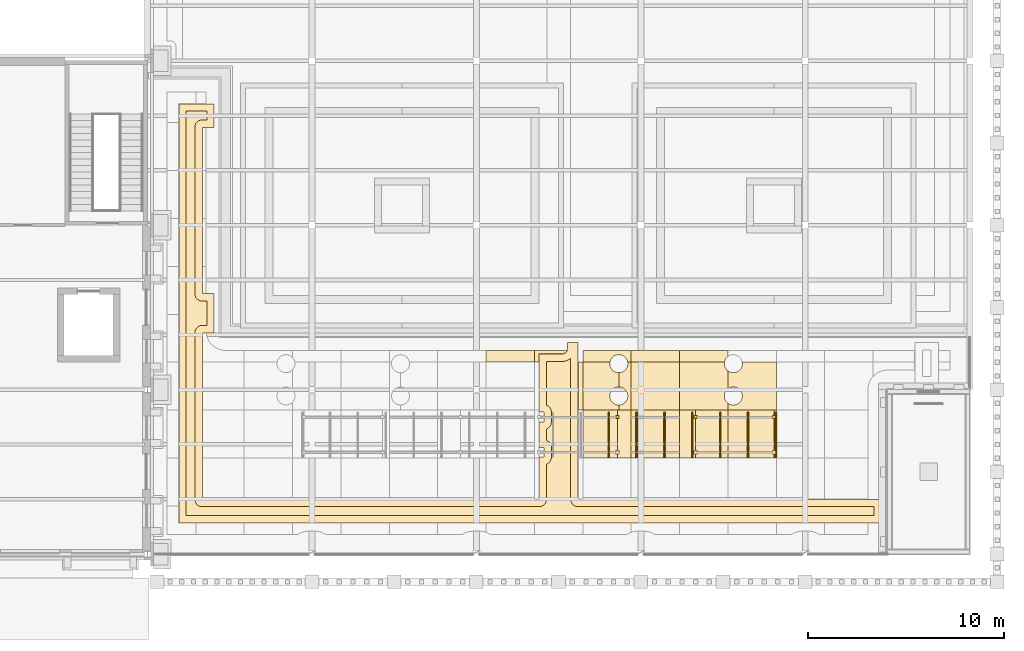
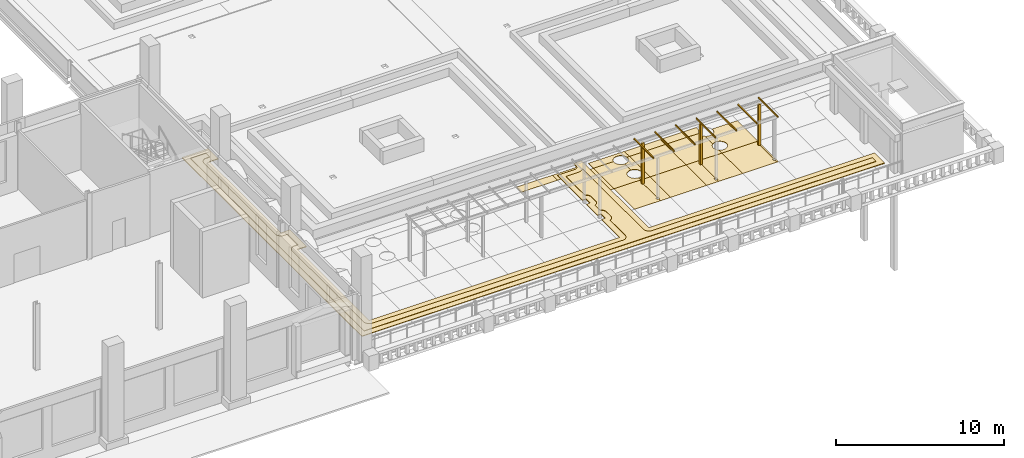
# One storey, part 71 of 76: 30 coverings.
"""IFC4 building model written with IfcOpenShell, lengths in metres."""

from ifc_helpers import new_model, si_unit, direction, frame, origin, origin_2d, place, context, subcontext, project, spatial, polyline, rectangle, outline, extrude, material, layer, layer_set, type_object, element, save


model = new_model("IFC4")

# Units and contexts
model_context = context("Model", 3, precision=1e-05, world=origin(), true_north=direction((0.0, 1.0)))
body_context = subcontext(model_context, "Body", "Model", "MODEL_VIEW")
ifc_project = project(units=[si_unit("LENGTHUNIT", "METRE"), si_unit("AREAUNIT", "SQUARE_METRE"), si_unit("VOLUMEUNIT", "CUBIC_METRE"), si_unit("PLANEANGLEUNIT", "RADIAN"), si_unit("MASSUNIT", "GRAM", prefix="KILO")], contexts=[model_context])

# Site, building, storey
site_placement = place(None, origin())
site = spatial("IfcSite", under=ifc_project, at=site_placement, CompositionType="ELEMENT")
building_placement = place(site_placement, origin())
building = spatial("IfcBuilding", under=site, at=building_placement, Name="Sava Quay Ferry Terminal", CompositionType="ELEMENT")
storey_placement = place(building_placement, frame((0.0, 0.0, 6.0)))
storey = spatial("IfcBuildingStorey", under=building, at=storey_placement, Name="L01", CompositionType="ELEMENT", Elevation=6.0)

# Coverings
ifc_material_1 = material(Name="Basalt setts", Category="masonry")
ifc_layer_1 = layer(ifc_material_1, 0.02001953125)
ifc_layer_set_1 = layer_set([ifc_layer_1], Name="Basalt setts")
covering_type_1 = type_object("IfcCoveringType", Name="Basalt inlay line 20", PredefinedType="FLOORING", material=ifc_layer_set_1)
covering_1_placement = place(storey_placement, frame((0.0, 0.0, 0.050048828125)))
element("IfcCovering", 1, at=covering_1_placement, inside=storey, type_object=covering_type_1, Name="Basalt inlay line", PredefinedType="FLOORING", context=body_context, shape_type="SweptSolid", body=[
    extrude(outline(polyline([(128.72607421875, 47.373046875), (128.762939453125, 47.3779296875), (128.800048828125, 47.3798828125), (129.030029296875, 47.3798828125), (129.030029296875, 47.820068359375), (127.97998046875, 47.820068359375), (127.97998046875, 27.179931640625), (163.1201171875, 27.179931640625), (163.1201171875, 27.6201171875), (148.0, 27.6201171875), (147.962890625, 27.6220703125), (147.926025390625, 27.626953125), (147.889892578125, 27.635986328125), (147.85498046875, 27.64892578125), (147.821044921875, 27.6650390625), (147.7890625, 27.68408203125), (147.759033203125, 27.7060546875), (147.73095703125, 27.73095703125), (147.7060546875, 27.759033203125), (147.68408203125, 27.7890625), (147.6650390625, 27.821044921875), (147.64892578125, 27.85498046875), (147.635986328125, 27.889892578125), (147.626953125, 27.926025390625), (147.6220703125, 27.962890625), (147.6201171875, 28.0), (147.6201171875, 35.2060546875), (147.5869140625, 35.177978515625), (147.54296875, 35.14697265625), (147.47509765625, 35.10888671875), (147.447998046875, 35.095947265625), (147.39794921875, 35.076904296875), (147.35107421875, 35.06396484375), (147.27197265625, 35.049072265625), (147.199951171875, 35.044921875), (146.3798828125, 35.044921875), (146.3798828125, 32.806884765625), (146.39501953125, 32.801025390625), (146.428955078125, 32.784912109375), (146.4609375, 32.76611328125), (146.490966796875, 32.743896484375), (146.51904296875, 32.718994140625), (146.5439453125, 32.69091796875), (146.56591796875, 32.660888671875), (146.5849609375, 32.62890625), (146.60107421875, 32.594970703125), (146.614013671875, 32.56005859375), (146.623046875, 32.52392578125), (146.6279296875, 32.487060546875), (146.6298828125, 32.449951171875), (146.6298828125, 31.949951171875), (146.6279296875, 31.9130859375), (146.623046875, 31.8759765625), (146.614013671875, 31.840087890625), (146.60107421875, 31.804931640625), (146.5849609375, 31.77099609375), (146.56591796875, 31.739013671875), (146.5439453125, 31.708984375), (146.51904296875, 31.680908203125), (146.490966796875, 31.656005859375), (146.4609375, 31.634033203125), (146.428955078125, 31.614990234375), (146.39501953125, 31.59912109375), (146.3798828125, 31.593017578125), (146.3798828125, 31.007080078125), (146.39501953125, 31.0009765625), (146.428955078125, 30.985107421875), (146.4609375, 30.966064453125), (146.490966796875, 30.944091796875), (146.51904296875, 30.9189453125), (146.5439453125, 30.89111328125), (146.56591796875, 30.861083984375), (146.5849609375, 30.8291015625), (146.60107421875, 30.794921875), (146.614013671875, 30.760009765625), (146.623046875, 30.72412109375), (146.6279296875, 30.68701171875), (146.6298828125, 30.64990234375), (146.6298828125, 30.14990234375), (146.6279296875, 30.113037109375), (146.623046875, 30.075927734375), (146.614013671875, 30.0400390625), (146.60107421875, 30.0048828125), (146.5849609375, 29.970947265625), (146.56591796875, 29.93896484375), (146.5439453125, 29.908935546875), (146.51904296875, 29.881103515625), (146.490966796875, 29.85595703125), (146.4609375, 29.833984375), (146.428955078125, 29.81494140625), (146.39501953125, 29.799072265625), (146.3798828125, 29.79296875), (146.3798828125, 28.0), (146.3779296875, 27.962890625), (146.373046875, 27.926025390625), (146.364013671875, 27.889892578125), (146.35107421875, 27.85498046875), (146.3349609375, 27.821044921875), (146.31591796875, 27.7890625), (146.2939453125, 27.759033203125), (146.26904296875, 27.73095703125), (146.240966796875, 27.7060546875), (146.2109375, 27.68408203125), (146.178955078125, 27.6650390625), (146.14501953125, 27.64892578125), (146.110107421875, 27.635986328125), (146.073974609375, 27.626953125), (146.037109375, 27.6220703125), (146.0, 27.6201171875), (128.800048828125, 27.6201171875), (128.762939453125, 27.6220703125), (128.72607421875, 27.626953125), (128.68994140625, 27.635986328125), (128.655029296875, 27.64892578125), (128.62109375, 27.6650390625), (128.589111328125, 27.68408203125), (128.55908203125, 27.7060546875), (128.531005859375, 27.73095703125), (128.506103515625, 27.759033203125), (128.48388671875, 27.7890625), (128.465087890625, 27.821044921875), (128.448974609375, 27.85498046875), (128.43603515625, 27.889892578125), (128.427001953125, 27.926025390625), (128.422119140625, 27.962890625), (128.419921875, 28.0), (128.419921875, 36.5), (128.422119140625, 36.537109375), (128.427001953125, 36.573974609375), (128.43603515625, 36.610107421875), (128.448974609375, 36.64501953125), (128.465087890625, 36.678955078125), (128.48388671875, 36.7109375), (128.506103515625, 36.740966796875), (128.531005859375, 36.76904296875), (128.55908203125, 36.7939453125), (128.589111328125, 36.81591796875), (128.62109375, 36.8349609375), (128.655029296875, 36.85107421875), (128.68994140625, 36.864013671875), (128.72607421875, 36.873046875), (128.762939453125, 36.8779296875), (128.800048828125, 36.8798828125), (129.030029296875, 36.8798828125), (129.030029296875, 38.1201171875), (128.800048828125, 38.1201171875), (128.762939453125, 38.1220703125), (128.72607421875, 38.126953125), (128.68994140625, 38.135986328125), (128.655029296875, 38.14892578125), (128.62109375, 38.1650390625), (128.589111328125, 38.18408203125), (128.55908203125, 38.2060546875), (128.531005859375, 38.23095703125), (128.506103515625, 38.259033203125), (128.48388671875, 38.2890625), (128.465087890625, 38.321044921875), (128.448974609375, 38.35498046875), (128.43603515625, 38.389892578125), (128.427001953125, 38.426025390625), (128.422119140625, 38.462890625), (128.419921875, 38.5), (128.419921875, 47.0), (128.422119140625, 47.037109375), (128.427001953125, 47.073974609375), (128.43603515625, 47.110107421875), (128.448974609375, 47.14501953125), (128.465087890625, 47.178955078125), (128.48388671875, 47.2109375), (128.506103515625, 47.240966796875), (128.531005859375, 47.26904296875), (128.55908203125, 47.2939453125), (128.589111328125, 47.31591796875), (128.62109375, 47.3349609375), (128.655029296875, 47.35107421875), (128.68994140625, 47.364013671875), (128.72607421875, 47.373046875)])), origin(), (0.0, 0.0, 1.0), 0.02001953125),
])
ifc_material_2 = material(Name="Limestone Mutalj", Category="masonry")
ifc_layer_2 = layer(ifc_material_2, 0.030029296875)
ifc_layer_set_2 = layer_set([ifc_layer_2], Name="Limestone Mutalj")
covering_type_2 = type_object("IfcCoveringType", Name="Court paving tile 30", PredefinedType="FLOORING", material=ifc_layer_set_2)
covering_2_placement = place(storey_placement, origin())
element("IfcCovering", 2, at=covering_2_placement, inside=storey, type_object=covering_type_2, Name="Limestone paving tile", PredefinedType="FLOORING", context=body_context, shape_type="SweptSolid", body=[
    extrude(outline(polyline([(145.764892578125, 35.0), (145.989990234375, 35.0), (145.989990234375, 35.425048828125), (145.991943359375, 35.430908203125), (145.99609375, 35.43408203125), (147.22412109375, 35.43603515625), (147.27001953125, 35.446044921875), (147.2919921875, 35.452880859375), (147.333984375, 35.47509765625), (147.35302734375, 35.489990234375), (147.3701171875, 35.5048828125), (147.39990234375, 35.541015625), (147.422119140625, 35.5830078125), (147.427978515625, 35.60009765625), (145.764892578125, 35.60009765625), (145.764892578125, 35.0)])), origin(), (0.0, 0.0, 1.0), 0.030029296875),
])
covering_3_placement = place(storey_placement, origin())
element("IfcCovering", 3, at=covering_3_placement, inside=storey, type_object=covering_type_2, Name="Limestone paving tile", PredefinedType="FLOORING", context=body_context, shape_type="SweptSolid", body=[
    extrude(outline(polyline([(148.235107421875, 32.550048828125), (150.074951171875, 32.550048828125), (150.074951171875, 32.81494140625), (150.029052734375, 32.81689453125), (149.985107421875, 32.823974609375), (149.94091796875, 32.8349609375), (149.89892578125, 32.85009765625), (149.85791015625, 32.8701171875), (149.819091796875, 32.89306640625), (149.782958984375, 32.919921875), (149.7490234375, 32.949951171875), (149.718994140625, 32.98388671875), (149.69189453125, 33.02001953125), (149.6689453125, 33.05908203125), (149.64990234375, 33.09912109375), (149.635009765625, 33.14208984375), (149.6240234375, 33.18603515625), (149.616943359375, 33.22998046875), (149.614990234375, 33.27490234375), (149.616943359375, 33.321044921875), (149.6240234375, 33.364990234375), (149.635009765625, 33.408935546875), (149.64990234375, 33.450927734375), (149.669921875, 33.491943359375), (149.693115234375, 33.531005859375), (149.719970703125, 33.56689453125), (149.75, 33.60107421875), (149.783935546875, 33.631103515625), (149.820068359375, 33.657958984375), (149.85888671875, 33.680908203125), (149.89892578125, 33.699951171875), (149.94189453125, 33.715087890625), (149.986083984375, 33.72607421875), (150.030029296875, 33.73291015625), (150.074951171875, 33.735107421875), (150.074951171875, 34.465087890625), (150.029052734375, 34.467041015625), (149.985107421875, 34.47412109375), (149.94091796875, 34.485107421875), (149.89892578125, 34.5), (149.85791015625, 34.52001953125), (149.819091796875, 34.54296875), (149.783935546875, 34.569091796875), (149.75, 34.59912109375), (149.719970703125, 34.633056640625), (149.693115234375, 34.6689453125), (149.6689453125, 34.708984375), (149.64990234375, 34.7490234375), (149.635009765625, 34.7919921875), (149.6240234375, 34.8359375), (149.616943359375, 34.8798828125), (149.614990234375, 34.925048828125), (149.616943359375, 34.969970703125), (149.6220703125, 35.0), (148.235107421875, 35.0), (148.235107421875, 32.550048828125)])), origin(), (0.0, 0.0, 1.0), 0.030029296875),
])
covering_4_placement = place(storey_placement, origin())
element("IfcCovering", 4, at=covering_4_placement, inside=storey, type_object=covering_type_2, Name="Limestone paving tile", PredefinedType="FLOORING", context=body_context, shape_type="SweptSolid", body=[
    extrude(outline(polyline([(150.7060546875, 32.550048828125), (150.7060546875, 35.0), (150.528076171875, 35.0), (150.532958984375, 34.969970703125), (150.534912109375, 34.925048828125), (150.532958984375, 34.8798828125), (150.52587890625, 34.8359375), (150.514892578125, 34.7919921875), (150.5, 34.7490234375), (150.48095703125, 34.708984375), (150.45703125, 34.6689453125), (150.429931640625, 34.633056640625), (150.39990234375, 34.59912109375), (150.365966796875, 34.569091796875), (150.3310546875, 34.54296875), (150.2919921875, 34.52001953125), (150.2509765625, 34.5), (150.208984375, 34.485107421875), (150.1650390625, 34.47412109375), (150.12109375, 34.467041015625), (150.074951171875, 34.465087890625), (150.074951171875, 33.735107421875), (150.12109375, 33.73291015625), (150.1650390625, 33.72607421875), (150.208984375, 33.715087890625), (150.2509765625, 33.699951171875), (150.2919921875, 33.679931640625), (150.3310546875, 33.656982421875), (150.366943359375, 33.6298828125), (150.40087890625, 33.60009765625), (150.430908203125, 33.56591796875), (150.4580078125, 33.530029296875), (150.48095703125, 33.490966796875), (150.5, 33.450927734375), (150.514892578125, 33.407958984375), (150.52587890625, 33.364013671875), (150.532958984375, 33.320068359375), (150.534912109375, 33.27490234375), (150.532958984375, 33.22900390625), (150.52587890625, 33.18505859375), (150.514892578125, 33.14111328125), (150.5, 33.09912109375), (150.47998046875, 33.05810546875), (150.45703125, 33.01904296875), (150.429931640625, 32.98291015625), (150.39990234375, 32.948974609375), (150.365966796875, 32.9189453125), (150.330078125, 32.89208984375), (150.291015625, 32.868896484375), (150.2509765625, 32.85009765625), (150.2080078125, 32.8349609375), (150.1640625, 32.823974609375), (150.1201171875, 32.81689453125), (150.074951171875, 32.81494140625), (150.074951171875, 32.550048828125), (150.7060546875, 32.550048828125)])), origin(), (0.0, 0.0, 1.0), 0.030029296875),
])
covering_5_placement = place(storey_placement, origin())
element("IfcCovering", 5, at=covering_5_placement, inside=storey, type_object=covering_type_2, Name="Limestone paving tile", PredefinedType="FLOORING", context=body_context, shape_type="SweptSolid", body=[
    extrude(outline(polyline([(150.7060546875, 30.10009765625), (153.176025390625, 30.10009765625), (153.176025390625, 32.550048828125), (150.7060546875, 32.550048828125), (150.7060546875, 30.10009765625)])), origin(), (0.0, 0.0, 1.0), 0.030029296875),
])
covering_6_placement = place(storey_placement, origin())
element("IfcCovering", 6, at=covering_6_placement, inside=storey, type_object=covering_type_2, Name="Limestone paving tile", PredefinedType="FLOORING", context=body_context, shape_type="SweptSolid", body=[
    extrude(outline(polyline([(153.176025390625, 35.0), (153.176025390625, 35.60009765625), (150.7060546875, 35.60009765625), (150.7060546875, 35.0), (153.176025390625, 35.0)])), origin(), (0.0, 0.0, 1.0), 0.030029296875),
])
covering_7_placement = place(storey_placement, origin())
element("IfcCovering", 7, at=covering_7_placement, inside=storey, type_object=covering_type_2, Name="Limestone paving tile", PredefinedType="FLOORING", context=body_context, shape_type="SweptSolid", body=[
    extrude(outline(polyline([(155.64697265625, 32.550048828125), (155.64697265625, 32.908935546875), (155.633056640625, 32.919921875), (155.60009765625, 32.948974609375), (155.570068359375, 32.98291015625), (155.54296875, 33.01904296875), (155.51904296875, 33.05908203125), (155.5, 33.09912109375), (155.485107421875, 33.14208984375), (155.47412109375, 33.18505859375), (155.467041015625, 33.22998046875), (155.465087890625, 33.27490234375), (155.467041015625, 33.321044921875), (155.47412109375, 33.364990234375), (155.485107421875, 33.407958984375), (155.5, 33.450927734375), (155.51904296875, 33.490966796875), (155.54296875, 33.531005859375), (155.570068359375, 33.56689453125), (155.60009765625, 33.60107421875), (155.633056640625, 33.6298828125), (155.64697265625, 33.64111328125), (155.64697265625, 34.55908203125), (155.633056640625, 34.570068359375), (155.60009765625, 34.59912109375), (155.569091796875, 34.634033203125), (155.54296875, 34.6689453125), (155.52001953125, 34.7080078125), (155.5, 34.7490234375), (155.485107421875, 34.7919921875), (155.47412109375, 34.8349609375), (155.467041015625, 34.87890625), (155.465087890625, 34.925048828125), (155.467041015625, 34.969970703125), (155.471923828125, 35.0), (153.176025390625, 35.0), (153.176025390625, 32.550048828125), (155.64697265625, 32.550048828125)])), origin(), (0.0, 0.0, 1.0), 0.030029296875),
])
covering_8_placement = place(storey_placement, origin())
element("IfcCovering", 8, at=covering_8_placement, inside=storey, type_object=covering_type_2, Name="Limestone paving tile", PredefinedType="FLOORING", context=body_context, shape_type="SweptSolid", body=[
    extrude(outline(polyline([(155.64697265625, 32.550048828125), (155.64697265625, 30.10009765625), (158.0, 30.10009765625), (158.0, 30.31494140625), (157.924072265625, 30.31494140625), (157.9189453125, 30.31689453125), (157.916015625, 30.320068359375), (157.9150390625, 30.324951171875), (157.9150390625, 30.47509765625), (157.9169921875, 30.48095703125), (157.924072265625, 30.485107421875), (158.0, 30.485107421875), (158.0, 32.114990234375), (157.924072265625, 32.114990234375), (157.9189453125, 32.116943359375), (157.916015625, 32.1201171875), (157.9150390625, 32.125), (157.9150390625, 32.27490234375), (157.9169921875, 32.281005859375), (157.924072265625, 32.284912109375), (158.0, 32.284912109375), (158.0, 32.550048828125), (155.64697265625, 32.550048828125)])), origin(), (0.0, 0.0, 1.0), 0.030029296875),
])
covering_9_placement = place(storey_placement, origin())
element("IfcCovering", 9, at=covering_9_placement, inside=storey, type_object=covering_type_2, Name="Limestone paving tile", PredefinedType="FLOORING", context=body_context, shape_type="SweptSolid", body=[
    extrude(outline(polyline([(158.117919921875, 32.550048828125), (158.0, 32.550048828125), (158.0, 32.284912109375), (158.075927734375, 32.284912109375), (158.0810546875, 32.282958984375), (158.083984375, 32.280029296875), (158.0849609375, 32.27490234375), (158.0849609375, 32.125), (158.0830078125, 32.118896484375), (158.075927734375, 32.114990234375), (158.0, 32.114990234375), (158.0, 30.485107421875), (158.075927734375, 30.485107421875), (158.0810546875, 30.48291015625), (158.083984375, 30.47998046875), (158.0849609375, 30.47509765625), (158.0849609375, 30.324951171875), (158.0830078125, 30.319091796875), (158.075927734375, 30.31494140625), (158.0, 30.31494140625), (158.0, 30.10009765625), (158.117919921875, 30.10009765625), (158.117919921875, 32.550048828125)])), origin(), (0.0, 0.0, 1.0), 0.030029296875),
])
ifc_material_3 = material(Name="Red sandstone Vrsac", Category="masonry")
ifc_layer_3 = layer(ifc_material_3, 0.030029296875)
ifc_layer_set_3 = layer_set([ifc_layer_3], Name="Red sandstone Vrsac")
covering_type_3 = type_object("IfcCoveringType", Name="Court paving tile sandstone 30", PredefinedType="FLOORING", material=ifc_layer_set_3)
covering_10_placement = place(storey_placement, origin())
element("IfcCovering", 10, at=covering_10_placement, inside=storey, type_object=covering_type_3, Name="Sandstone paving tile", PredefinedType="FLOORING", context=body_context, shape_type="SweptSolid", body=[
    extrude(outline(polyline([(145.764892578125, 35.0), (145.764892578125, 35.60009765625), (143.2939453125, 35.60009765625), (143.2939453125, 35.0), (145.764892578125, 35.0)])), origin(), (0.0, 0.0, 1.0), 0.030029296875),
])
covering_11_placement = place(storey_placement, origin())
element("IfcCovering", 11, at=covering_11_placement, inside=storey, type_object=covering_type_3, Name="Sandstone paving tile", PredefinedType="FLOORING", context=body_context, shape_type="SweptSolid", body=[
    extrude(outline(polyline([(148.235107421875, 35.0), (148.010009765625, 35.0), (148.010009765625, 32.550048828125), (148.235107421875, 32.550048828125), (148.235107421875, 35.0)])), origin(), (0.0, 0.0, 1.0), 0.030029296875),
])
covering_12_placement = place(storey_placement, origin())
element("IfcCovering", 12, at=covering_12_placement, inside=storey, type_object=covering_type_3, Name="Sandstone paving tile", PredefinedType="FLOORING", context=body_context, shape_type="SweptSolid", body=[
    extrude(outline(polyline([(148.235107421875, 32.550048828125), (148.235107421875, 30.10009765625), (150.0, 30.10009765625), (150.0, 30.31494140625), (149.924072265625, 30.31494140625), (149.9189453125, 30.31689453125), (149.916015625, 30.320068359375), (149.9150390625, 30.324951171875), (149.9150390625, 30.47509765625), (149.9169921875, 30.48095703125), (149.924072265625, 30.485107421875), (150.0, 30.485107421875), (150.0, 32.114990234375), (149.924072265625, 32.114990234375), (149.9189453125, 32.116943359375), (149.916015625, 32.1201171875), (149.9150390625, 32.125), (149.9150390625, 32.27490234375), (149.9169921875, 32.281005859375), (149.924072265625, 32.284912109375), (150.0, 32.284912109375), (150.0, 32.550048828125), (148.235107421875, 32.550048828125)])), origin(), (0.0, 0.0, 1.0), 0.030029296875),
])
covering_13_placement = place(storey_placement, origin())
element("IfcCovering", 13, at=covering_13_placement, inside=storey, type_object=covering_type_3, Name="Sandstone paving tile", PredefinedType="FLOORING", context=body_context, shape_type="SweptSolid", body=[
    extrude(outline(polyline([(150.7060546875, 32.550048828125), (150.0, 32.550048828125), (150.0, 32.284912109375), (150.075927734375, 32.284912109375), (150.0810546875, 32.282958984375), (150.083984375, 32.280029296875), (150.0849609375, 32.27490234375), (150.0849609375, 32.125), (150.0830078125, 32.118896484375), (150.075927734375, 32.114990234375), (150.0, 32.114990234375), (150.0, 30.485107421875), (150.075927734375, 30.485107421875), (150.0810546875, 30.48291015625), (150.083984375, 30.47998046875), (150.0849609375, 30.47509765625), (150.0849609375, 30.324951171875), (150.0830078125, 30.319091796875), (150.075927734375, 30.31494140625), (150.0, 30.31494140625), (150.0, 30.10009765625), (150.7060546875, 30.10009765625), (150.7060546875, 32.550048828125)])), origin(), (0.0, 0.0, 1.0), 0.030029296875),
])
covering_14_placement = place(storey_placement, origin())
element("IfcCovering", 14, at=covering_14_placement, inside=storey, type_object=covering_type_3, Name="Sandstone paving tile", PredefinedType="FLOORING", context=body_context, shape_type="SweptSolid", body=[
    extrude(outline(polyline([(150.7060546875, 35.0), (150.7060546875, 35.60009765625), (148.235107421875, 35.60009765625), (148.235107421875, 35.0), (149.6220703125, 35.0), (149.6240234375, 35.014892578125), (149.635009765625, 35.05908203125), (149.64990234375, 35.10107421875), (149.669921875, 35.14208984375), (149.693115234375, 35.180908203125), (149.718994140625, 35.216064453125), (149.7490234375, 35.25), (149.782958984375, 35.280029296875), (149.820068359375, 35.30810546875), (149.85888671875, 35.3310546875), (149.89892578125, 35.35009765625), (149.94189453125, 35.364990234375), (149.986083984375, 35.3759765625), (150.030029296875, 35.383056640625), (150.074951171875, 35.385009765625), (150.12109375, 35.383056640625), (150.1650390625, 35.3759765625), (150.2080078125, 35.364990234375), (150.2509765625, 35.35009765625), (150.291015625, 35.3310546875), (150.330078125, 35.30810546875), (150.366943359375, 35.280029296875), (150.40087890625, 35.25), (150.430908203125, 35.216064453125), (150.45703125, 35.180908203125), (150.47998046875, 35.14208984375), (150.5, 35.10107421875), (150.514892578125, 35.05908203125), (150.52587890625, 35.014892578125), (150.528076171875, 35.0), (150.7060546875, 35.0)])), origin(), (0.0, 0.0, 1.0), 0.030029296875),
])
covering_15_placement = place(storey_placement, origin())
element("IfcCovering", 15, at=covering_15_placement, inside=storey, type_object=covering_type_3, Name="Sandstone paving tile", PredefinedType="FLOORING", context=body_context, shape_type="SweptSolid", body=[
    extrude(outline(polyline([(150.7060546875, 32.550048828125), (153.176025390625, 32.550048828125), (153.176025390625, 35.0), (150.7060546875, 35.0), (150.7060546875, 32.550048828125)])), origin(), (0.0, 0.0, 1.0), 0.030029296875),
])
covering_16_placement = place(storey_placement, origin())
element("IfcCovering", 16, at=covering_16_placement, inside=storey, type_object=covering_type_3, Name="Sandstone paving tile", PredefinedType="FLOORING", context=body_context, shape_type="SweptSolid", body=[
    extrude(outline(polyline([(153.176025390625, 32.550048828125), (153.176025390625, 30.10009765625), (154.0, 30.10009765625), (154.0, 30.31494140625), (153.924072265625, 30.31494140625), (153.9189453125, 30.31689453125), (153.916015625, 30.320068359375), (153.9150390625, 30.324951171875), (153.9150390625, 30.47509765625), (153.9169921875, 30.48095703125), (153.924072265625, 30.485107421875), (154.0, 30.485107421875), (154.0, 32.114990234375), (153.924072265625, 32.114990234375), (153.9189453125, 32.116943359375), (153.916015625, 32.1201171875), (153.9150390625, 32.125), (153.9150390625, 32.27490234375), (153.9169921875, 32.281005859375), (153.924072265625, 32.284912109375), (154.0, 32.284912109375), (154.0, 32.550048828125), (153.176025390625, 32.550048828125)])), origin(), (0.0, 0.0, 1.0), 0.030029296875),
])
covering_17_placement = place(storey_placement, origin())
element("IfcCovering", 17, at=covering_17_placement, inside=storey, type_object=covering_type_3, Name="Sandstone paving tile", PredefinedType="FLOORING", context=body_context, shape_type="SweptSolid", body=[
    extrude(outline(polyline([(155.64697265625, 32.550048828125), (154.0, 32.550048828125), (154.0, 32.284912109375), (154.075927734375, 32.284912109375), (154.0810546875, 32.282958984375), (154.083984375, 32.280029296875), (154.0849609375, 32.27490234375), (154.0849609375, 32.125), (154.0830078125, 32.118896484375), (154.075927734375, 32.114990234375), (154.0, 32.114990234375), (154.0, 30.485107421875), (154.075927734375, 30.485107421875), (154.0810546875, 30.48291015625), (154.083984375, 30.47998046875), (154.0849609375, 30.47509765625), (154.0849609375, 30.324951171875), (154.0830078125, 30.319091796875), (154.075927734375, 30.31494140625), (154.0, 30.31494140625), (154.0, 30.10009765625), (155.64697265625, 30.10009765625), (155.64697265625, 32.550048828125)])), origin(), (0.0, 0.0, 1.0), 0.030029296875),
])
covering_18_placement = place(storey_placement, origin())
element("IfcCovering", 18, at=covering_18_placement, inside=storey, type_object=covering_type_3, Name="Sandstone paving tile", PredefinedType="FLOORING", context=body_context, shape_type="SweptSolid", body=[
    extrude(outline(polyline([(155.64697265625, 35.291015625), (155.64697265625, 35.60009765625), (153.176025390625, 35.60009765625), (153.176025390625, 35.0), (155.471923828125, 35.0), (155.47412109375, 35.014892578125), (155.485107421875, 35.05810546875), (155.5, 35.10107421875), (155.51904296875, 35.14111328125), (155.5419921875, 35.179931640625), (155.569091796875, 35.216064453125), (155.59912109375, 35.25), (155.633056640625, 35.280029296875), (155.64697265625, 35.291015625)])), origin(), (0.0, 0.0, 1.0), 0.030029296875),
])
covering_19_placement = place(storey_placement, origin())
element("IfcCovering", 19, at=covering_19_placement, inside=storey, type_object=covering_type_3, Name="Sandstone paving tile", PredefinedType="FLOORING", context=body_context, shape_type="SweptSolid", body=[
    extrude(outline(polyline([(158.117919921875, 35.0), (156.3779296875, 35.0), (156.383056640625, 34.969970703125), (156.385009765625, 34.925048828125), (156.383056640625, 34.87890625), (156.3759765625, 34.8349609375), (156.364990234375, 34.7919921875), (156.35009765625, 34.7490234375), (156.3310546875, 34.708984375), (156.30810546875, 34.669921875), (156.280029296875, 34.633056640625), (156.25, 34.59912109375), (156.217041015625, 34.570068359375), (156.179931640625, 34.5419921875), (156.14208984375, 34.52001953125), (156.10107421875, 34.5), (156.05810546875, 34.485107421875), (156.014892578125, 34.47412109375), (155.970947265625, 34.467041015625), (155.925048828125, 34.465087890625), (155.8798828125, 34.467041015625), (155.8359375, 34.47412109375), (155.791015625, 34.485107421875), (155.7490234375, 34.5), (155.708984375, 34.51904296875), (155.669921875, 34.5419921875), (155.64697265625, 34.55908203125), (155.64697265625, 33.64111328125), (155.669921875, 33.657958984375), (155.7080078125, 33.679931640625), (155.7490234375, 33.699951171875), (155.7919921875, 33.715087890625), (155.8349609375, 33.72607421875), (155.8798828125, 33.73291015625), (155.925048828125, 33.735107421875), (155.969970703125, 33.73291015625), (156.014892578125, 33.72607421875), (156.05810546875, 33.715087890625), (156.10107421875, 33.699951171875), (156.14111328125, 33.680908203125), (156.180908203125, 33.656982421875), (156.216064453125, 33.631103515625), (156.25, 33.60107421875), (156.281005859375, 33.56591796875), (156.306884765625, 33.531005859375), (156.330078125, 33.491943359375), (156.35009765625, 33.450927734375), (156.364990234375, 33.407958984375), (156.3759765625, 33.364990234375), (156.383056640625, 33.320068359375), (156.385009765625, 33.27490234375), (156.383056640625, 33.22998046875), (156.3759765625, 33.18603515625), (156.364990234375, 33.14208984375), (156.35009765625, 33.09912109375), (156.3310546875, 33.05908203125), (156.30810546875, 33.02001953125), (156.281005859375, 32.98388671875), (156.25, 32.948974609375), (156.216064453125, 32.9189453125), (156.180908203125, 32.89306640625), (156.14111328125, 32.868896484375), (156.10107421875, 32.85009765625), (156.05810546875, 32.8349609375), (156.014892578125, 32.823974609375), (155.969970703125, 32.81689453125), (155.925048828125, 32.81494140625), (155.8798828125, 32.81689453125), (155.8349609375, 32.823974609375), (155.7919921875, 32.8349609375), (155.7490234375, 32.85009765625), (155.7080078125, 32.8701171875), (155.669921875, 32.89208984375), (155.64697265625, 32.908935546875), (155.64697265625, 32.550048828125), (158.117919921875, 32.550048828125), (158.117919921875, 35.0)])), origin(), (0.0, 0.0, 1.0), 0.030029296875),
])
ifc_material_4 = material(Name="Glulam GL28h", Category="wood")
ifc_layer_4 = layer(ifc_material_4, 0.14990234375)
ifc_layer_set_4 = layer_set([ifc_layer_4], Name="Glulam GL28h")
covering_type_4 = type_object("IfcCoveringType", Name="Pergola walk post 150", PredefinedType="CLADDING", material=ifc_layer_set_4)
for number, where, z_axis, x_axis, name in (
    (20, (150.0, 32.199951171875, 0.0), (0.0, 0.0, 1.0), (1.0, 0.0, 0.0), "Pergola walk post"),
    (21, (154.0, 32.199951171875, 0.0), (0.0, 0.0, 1.0), (1.0, 0.0, 0.0), "Pergola walk post"),
    (22, (158.0, 32.199951171875, 0.0), (0.0, 0.0, 1.0), (1.0, 0.0, 0.0), "Pergola walk post"),
):
    element("IfcCovering", number, at=place(storey_placement, frame(where, z_axis=z_axis, x_axis=x_axis)), inside=storey, type_object=covering_type_4, Name=name, PredefinedType="CLADDING", context=body_context, shape_type="SweptSolid", body=[
        extrude(rectangle(XDim=0.14990234375, YDim=0.14990234375, at=origin_2d()), origin(), (0.0, 0.0, 1.0), 3.0),
    ])
ifc_material_5 = material(Name="Glulam GL28h", Category="wood")
ifc_layer_5 = layer(ifc_material_5, 0.06005859375)
ifc_layer_set_5 = layer_set([ifc_layer_5], Name="Glulam GL28h")
covering_type_5 = type_object("IfcCoveringType", Name="Pergola walk rafter 60x100", PredefinedType="CLADDING", material=ifc_layer_set_5)
for number, where, z_axis, x_axis, name in (
    (23, (149.558837890625, 31.300048828125, 3.199951171875), (0.0, 0.0, 1.0), (1.0, 0.0, 0.0), "Pergola walk rafter"),
    (24, (150.982421875, 31.300048828125, 3.199951171875), (0.0, 0.0, 1.0), (1.0, 0.0, 0.0), "Pergola walk rafter"),
    (25, (152.406005859375, 31.300048828125, 3.199951171875), (0.0, 0.0, 1.0), (1.0, 0.0, 0.0), "Pergola walk rafter"),
    (26, (153.829345703125, 31.300048828125, 3.199951171875), (0.0, 0.0, 1.0), (1.0, 0.0, 0.0), "Pergola walk rafter"),
    (27, (155.2529296875, 31.300048828125, 3.199951171875), (0.0, 0.0, 1.0), (1.0, 0.0, 0.0), "Pergola walk rafter"),
    (28, (156.676513671875, 31.300048828125, 3.199951171875), (0.0, 0.0, 1.0), (1.0, 0.0, 0.0), "Pergola walk rafter"),
    (29, (158.10009765625, 31.300048828125, 3.199951171875), (0.0, 0.0, 1.0), (1.0, 0.0, 0.0), "Pergola walk rafter"),
):
    element("IfcCovering", number, at=place(storey_placement, frame(where, z_axis=z_axis, x_axis=x_axis)), inside=storey, type_object=covering_type_5, Name=name, PredefinedType="CLADDING", context=body_context, shape_type="SweptSolid", body=[
        extrude(rectangle(XDim=0.06005859375, YDim=2.300048828125, at=origin_2d()), origin(), (0.0, 0.0, 1.0), 0.10009765625),
    ])
ifc_material_6 = material(Name="Limestone Mutalj", Category="masonry")
ifc_layer_6 = layer(ifc_material_6, 0.050048828125)
ifc_layer_set_6 = layer_set([ifc_layer_6], Name="Limestone Mutalj")
covering_type_6 = type_object("IfcCoveringType", Name="Stone paving band 50", PredefinedType="FLOORING", material=ifc_layer_set_6)
covering_20_placement = place(storey_placement, origin())
element("IfcCovering", 30, at=covering_20_placement, inside=storey, type_object=covering_type_6, Name="Stone paving band", PredefinedType="FLOORING", context=body_context, shape_type="SweptSolid", body=[
    extrude(outline(polyline([(129.409912109375, 47.0), (129.409912109375, 48.199951171875), (127.60009765625, 48.199951171875), (127.60009765625, 26.800048828125), (163.5, 26.800048828125), (163.5, 28.0), (148.0, 28.0), (148.0, 36.010009765625), (147.449951171875, 36.010009765625), (147.449951171875, 35.675048828125), (147.448974609375, 35.64990234375), (147.43896484375, 35.60205078125), (147.430908203125, 35.5791015625), (147.407958984375, 35.535888671875), (147.39306640625, 35.51611328125), (147.376953125, 35.498046875), (147.35888671875, 35.48193359375), (147.339111328125, 35.467041015625), (147.2958984375, 35.444091796875), (147.27294921875, 35.43603515625), (147.22509765625, 35.426025390625), (147.199951171875, 35.425048828125), (146.0, 35.425048828125), (146.0, 32.449951171875), (146.25, 32.449951171875), (146.25, 31.949951171875), (146.0, 31.949951171875), (146.0, 30.64990234375), (146.25, 30.64990234375), (146.25, 30.14990234375), (146.0, 30.14990234375), (146.0, 28.0), (128.800048828125, 28.0), (128.800048828125, 36.5), (129.409912109375, 36.5), (129.409912109375, 38.5), (128.800048828125, 38.5), (128.800048828125, 47.0), (129.409912109375, 47.0)])), origin(), (0.0, 0.0, 1.0), 0.050048828125),
])

save(model, "model.ifc")
